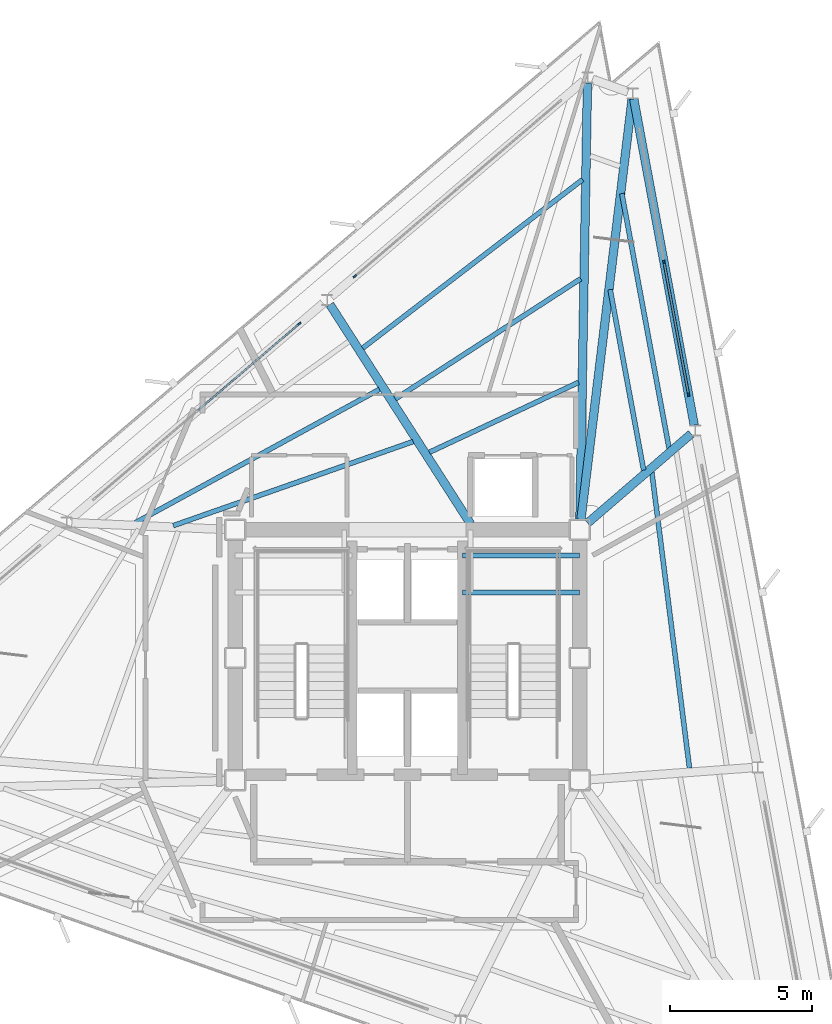
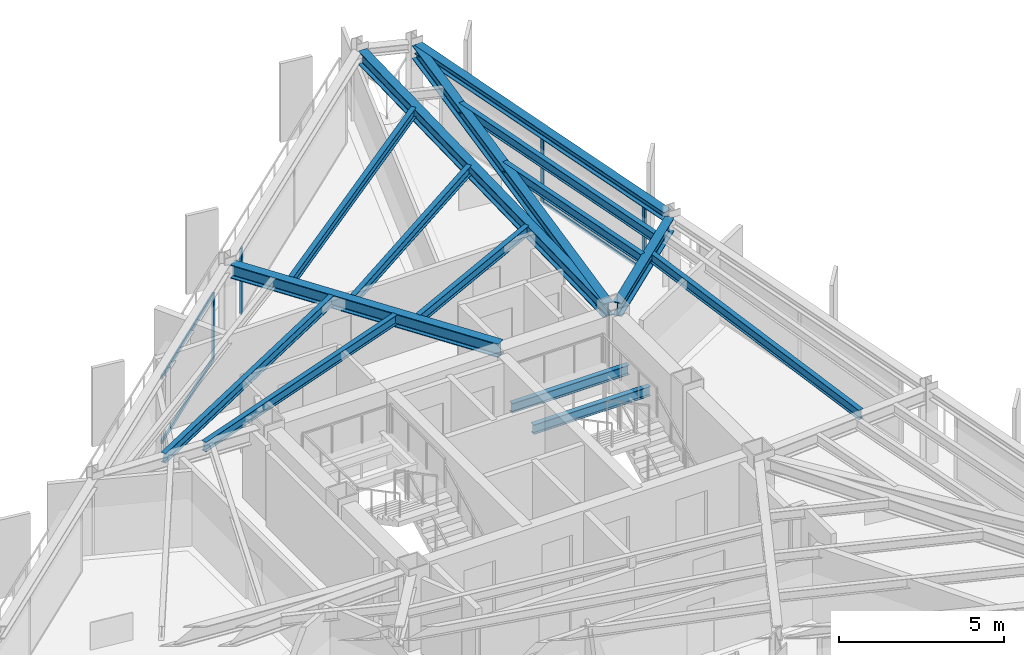
# One storey, part 5 of 14: 15 beams, 8 members, 3 elements without a shape of their own.
"""IFC4 building model written with IfcOpenShell, lengths in metres."""

from ifc_helpers import new_model, si_unit, direction, frame, origin, origin_2d, place, context, subcontext, project, spatial, rectangle, i_section, extrude, material, layer, layer_set, material_profile, profile_set, type_object, element, aggregate, save


model = new_model("IFC4")

# Units and contexts
model_context = context("Model", 3, precision=1e-05, world=origin(), true_north=direction((0.0, 1.0)))
body_context = subcontext(model_context, "Body", "Model", "MODEL_VIEW")
ifc_project = project(units=[si_unit("LENGTHUNIT", "METRE"), si_unit("AREAUNIT", "SQUARE_METRE"), si_unit("VOLUMEUNIT", "CUBIC_METRE"), si_unit("PLANEANGLEUNIT", "RADIAN"), si_unit("MASSUNIT", "GRAM", prefix="KILO")], contexts=[model_context])

# Site, building, storey
site_placement = place(None, origin())
site = spatial("IfcSite", under=ifc_project, at=site_placement, CompositionType="ELEMENT")
building_placement = place(site_placement, origin())
building = spatial("IfcBuilding", under=site, at=building_placement, Name="Rocaltana Carrier Exchange", CompositionType="ELEMENT")
storey_placement = place(building_placement, frame((0.0, 0.0, 178.39990234375)))
storey = spatial("IfcBuildingStorey", under=building, at=storey_placement, Name="L56", CompositionType="ELEMENT", Elevation=178.39990234375)

# Curtain wall, members
ifc_material_1 = material(Name="Aluminium 6063-T6", Category="aluminium")
ifc_layer = layer(ifc_material_1, 0.135009765625)
ifc_layer_set = layer_set([ifc_layer], Name="Aluminium 6063-T6")
curtain_wall_type = type_object("IfcCurtainWallType", Name="Upper-Mid Acoustic Curtain Wall CW-04", PredefinedType="NOTDEFINED", material=ifc_layer_set)
curtain_wall_1_placement = place(storey_placement, origin())
curtain_wall_1 = element("IfcCurtainWall", 1, at=curtain_wall_1_placement, inside=storey, type_object=curtain_wall_type, Name="L56 CW-04 Run CW-L56-F1S3", PredefinedType="NOTDEFINED")
ifc_material_2 = material(Name="Aluminium 6063-T6", Category="aluminium")
ifc_material_profile_1 = material_profile(ifc_material_2, rectangle(XDim=0.06494140625, YDim=0.135009765625, at=origin_2d()), Name="AL-65X135")
ifc_profile_set_1 = profile_set([ifc_material_profile_1], Name="Aluminium 6063-T6")
member_type_1 = type_object("IfcMemberType", Name="CW-04 Mullion AL-65X135", PredefinedType="MULLION", material=ifc_profile_set_1)
member_1_placement = place(storey_placement, frame((9.873046875, 9.25341796875, 0.0), z_axis=(0.0, 0.0, 1.0), x_axis=(-0.983254796134, -0.182236126712, 0.0)))
member_1 = element("IfcMember", 2, at=member_1_placement, type_object=member_type_1, Name="CW-04 mullion 1", PredefinedType="MULLION", context=body_context, shape_type="SweptSolid", body=[
    extrude(rectangle(XDim=0.06494140625, YDim=0.135009765625, at=origin_2d()), origin(), (0.0, 0.0, 1.0), 2.447998046875),
])
member_2_placement = place(storey_placement, frame((9.01025390625, 13.908203125, 0.0), z_axis=(0.0, 0.0, 1.0), x_axis=(-0.983254796134, -0.182236126712, 0.0)))
member_2 = element("IfcMember", 3, at=member_2_placement, type_object=member_type_1, Name="CW-04 mullion 2", PredefinedType="MULLION", context=body_context, shape_type="SweptSolid", body=[
    extrude(rectangle(XDim=0.06494140625, YDim=0.135009765625, at=origin_2d()), origin(), (0.0, 0.0, 1.0), 2.447998046875),
])

# Curtain wall, member
curtain_wall_2_placement = place(storey_placement, origin())
curtain_wall_2 = element("IfcCurtainWall", 4, at=curtain_wall_2_placement, inside=storey, type_object=curtain_wall_type, Name="L56 CW-04 Run CW-L56-F2S1", PredefinedType="NOTDEFINED")
member_3_placement = place(storey_placement, frame((-1.849365234375, 13.404541015625, 0.0), z_axis=(0.0, 0.0, 1.0), x_axis=(0.649447944918, -0.760406053922, 0.0)))
member_3 = element("IfcMember", 5, at=member_3_placement, type_object=member_type_1, Name="CW-04 mullion 3", PredefinedType="MULLION", context=body_context, shape_type="SweptSolid", body=[
    extrude(rectangle(XDim=0.06494140625, YDim=0.135009765625, at=origin_2d()), origin(), (0.0, 0.0, 1.0), 2.447998046875),
])
aggregate(curtain_wall_2, [member_3])

curtain_wall_3_placement = place(storey_placement, origin())
curtain_wall_3 = element("IfcCurtainWall", 6, at=curtain_wall_3_placement, inside=storey, type_object=curtain_wall_type, Name="L56 CW-04 Run CW-L56-F2S2", PredefinedType="NOTDEFINED")
member_4_placement = place(storey_placement, frame((-3.7998046875, 11.73876953125, 0.0), z_axis=(0.0, 0.0, 1.0), x_axis=(0.649454010067, -0.760400873756, 0.0)))
member_4 = element("IfcMember", 7, at=member_4_placement, type_object=member_type_1, Name="CW-04 mullion 1", PredefinedType="MULLION", context=body_context, shape_type="SweptSolid", body=[
    extrude(rectangle(XDim=0.06494140625, YDim=0.135009765625, at=origin_2d()), origin(), (0.0, 0.0, 1.0), 2.447998046875),
])

# Member
ifc_material_3 = material(Name="Aluminium 6063-T6", Category="aluminium")
ifc_material_profile_2 = material_profile(ifc_material_3, rectangle(XDim=0.06494140625, YDim=0.135009765625, at=origin_2d()), Name="AL-65X135")
ifc_profile_set_2 = profile_set([ifc_material_profile_2], Name="Aluminium 6063-T6")
member_type_2 = type_object("IfcMemberType", Name="CW-04 Transom AL-65X135", PredefinedType="USERDEFINED", material=ifc_profile_set_2)
member_5_placement = place(storey_placement, frame((9.866943359375, 9.285400390625, 0.03271484375), z_axis=(-0.182229691605, 0.983255988793, 0.0), x_axis=(-0.983255988793, -0.182229691605, 0.0)))
member_5 = element("IfcMember", 8, at=member_5_placement, type_object=member_type_2, Name="CW-04 transom 1.1", ObjectType="TRANSOM", PredefinedType="USERDEFINED", context=body_context, shape_type="SweptSolid", body=[
    extrude(rectangle(XDim=0.06494140625, YDim=0.135009765625, at=origin_2d()), origin(), (0.0, 0.0, 1.0), 4.6689453125),
])

member_6_placement = place(storey_placement, frame((9.866943359375, 9.285400390625, 2.41552734375), z_axis=(-0.182229691605, 0.983255988793, 0.0), x_axis=(-0.983255988793, -0.182229691605, 0.0)))
member_6 = element("IfcMember", 9, at=member_6_placement, type_object=member_type_2, Name="CW-04 transom 1.2", ObjectType="TRANSOM", PredefinedType="USERDEFINED", context=body_context, shape_type="SweptSolid", body=[
    extrude(rectangle(XDim=0.06494140625, YDim=0.135009765625, at=origin_2d()), origin(), (0.0, 0.0, 1.0), 4.6689453125),
])

aggregate(curtain_wall_1, [member_1, member_2, member_5, member_6])

member_7_placement = place(storey_placement, frame((-3.82470703125, 11.717529296875, 0.03271484375), z_axis=(-0.760381209804, -0.649477032525, 0.0), x_axis=(0.649477032525, -0.760381209804, 0.0)))
member_7 = element("IfcMember", 10, at=member_7_placement, type_object=member_type_2, Name="CW-04 transom 1.1", ObjectType="TRANSOM", PredefinedType="USERDEFINED", context=body_context, shape_type="SweptSolid", body=[
    extrude(rectangle(XDim=0.06494140625, YDim=0.135009765625, at=origin_2d()), origin(), (0.0, 0.0, 1.0), 4.669189453125),
])

member_8_placement = place(storey_placement, frame((-3.82470703125, 11.717529296875, 2.41552734375), z_axis=(-0.760381209804, -0.649477032525, 0.0), x_axis=(0.649477032525, -0.760381209804, 0.0)))
member_8 = element("IfcMember", 11, at=member_8_placement, type_object=member_type_2, Name="CW-04 transom 1.2", ObjectType="TRANSOM", PredefinedType="USERDEFINED", context=body_context, shape_type="SweptSolid", body=[
    extrude(rectangle(XDim=0.06494140625, YDim=0.135009765625, at=origin_2d()), origin(), (0.0, 0.0, 1.0), 4.669189453125),
])

aggregate(curtain_wall_3, [member_4, member_7, member_8])

# Beams
ifc_material_4 = material(Name="Steel S355", Category="steel")
ifc_material_profile_3 = material_profile(ifc_material_4, i_section(OverallWidth=0.172119140625, OverallDepth=0.35791015625, WebThickness=0.0078125, FlangeThickness=0.01318359375, FilletRadius=0.011962890625, at=origin_2d()), Name="W14X38")
ifc_profile_set_3 = profile_set([ifc_material_profile_3], Name="Steel S355")
beam_type_1 = type_object("IfcBeamType", Name="Floor Joist W14X38", PredefinedType="JOIST", material=ifc_profile_set_3)
for number, where, z_axis, x_axis, name in (
    (12, (1.93994140625, 2.300048828125, 1.14111328125), (1.0, 0.0, 0.0), (0.0, 1.0, 0.0), "L56 ST-2 Landing Carrier 1"),
    (13, (1.93994140625, 3.60009765625, 1.14111328125), (1.0, 0.0, 0.0), (0.0, 1.0, 0.0), "L56 ST-2 Landing Carrier 2"),
):
    element("IfcBeam", number, at=place(storey_placement, frame(where, z_axis=z_axis, x_axis=x_axis)), inside=storey, type_object=beam_type_1, Name=name, PredefinedType="JOIST", context=body_context, shape_type="SweptSolid", body=[
        extrude(i_section(OverallWidth=0.172119140625, OverallDepth=0.35791015625, WebThickness=0.0078125, FlangeThickness=0.01318359375, FilletRadius=0.011962890625, at=origin_2d()), origin(), (0.0, 0.0, 1.0), 4.110107421875),
    ])
beam_1_placement = place(storey_placement, frame((9.906494140625, -3.87158203125, 2.619140625), z_axis=(-0.126288464716, 0.991993560301, 0.0), x_axis=(-0.991993560301, -0.126288464716, 0.0)))
element("IfcBeam", 14, at=beam_1_placement, inside=storey, type_object=beam_type_1, Name="FJ-L56-02-2", PredefinedType="JOIST", context=body_context, shape_type="SweptSolid", body=[
    extrude(i_section(OverallWidth=0.172119140625, OverallDepth=0.35791015625, WebThickness=0.0078125, FlangeThickness=0.01318359375, FilletRadius=0.011962890625, at=origin_2d()), origin(), (0.0, 0.0, 1.0), 10.47802734375),
])
beam_2_placement = place(storey_placement, frame((8.29541015625, 6.597412109375, 2.619140625), z_axis=(-0.182201749781, 0.983261166922, 0.0), x_axis=(-0.983261166922, -0.182201749781, 0.0)))
element("IfcBeam", 15, at=beam_2_placement, inside=storey, type_object=beam_type_1, Name="FJ-L56-03-2", PredefinedType="JOIST", context=body_context, shape_type="SweptSolid", body=[
    extrude(i_section(OverallWidth=0.172119140625, OverallDepth=0.35791015625, WebThickness=0.0078125, FlangeThickness=0.01318359375, FilletRadius=0.011962890625, at=origin_2d()), origin(), (0.0, 0.0, 1.0), 6.450439453125),
])
beam_3_placement = place(storey_placement, frame((9.18798828125, 7.365478515625, 2.619140625), z_axis=(-0.18223051112, 0.98325583691, 0.0), x_axis=(-0.98325583691, -0.18223051112, 0.0)))
element("IfcBeam", 16, at=beam_3_placement, inside=storey, type_object=beam_type_1, Name="FJ-L56-03-3", PredefinedType="JOIST", context=body_context, shape_type="SweptSolid", body=[
    extrude(i_section(OverallWidth=0.172119140625, OverallDepth=0.35791015625, WebThickness=0.0078125, FlangeThickness=0.01318359375, FilletRadius=0.011962890625, at=origin_2d()), origin(), (0.0, 0.0, 1.0), 9.09814453125),
])
beam_4_placement = place(storey_placement, frame((6.010498046875, 9.681396484375, 2.619140625), z_axis=(-0.905370731106, -0.42462199573, 0.0), x_axis=(0.42462199573, -0.905370731106, 0.0)))
element("IfcBeam", 17, at=beam_4_placement, inside=storey, type_object=beam_type_1, Name="FJ-L56-05-1", PredefinedType="JOIST", context=body_context, shape_type="SweptSolid", body=[
    extrude(i_section(OverallWidth=0.172119140625, OverallDepth=0.35791015625, WebThickness=0.0078125, FlangeThickness=0.01318359375, FilletRadius=0.011962890625, at=origin_2d()), origin(), (0.0, 0.0, 1.0), 5.78515625),
])
beam_5_placement = place(storey_placement, frame((6.08349609375, 13.318115234375, 2.619140625), z_axis=(-0.839155380269, -0.543891761075, 0.0), x_axis=(0.543891761075, -0.839155380269, 0.0)))
element("IfcBeam", 18, at=beam_5_placement, inside=storey, type_object=beam_type_1, Name="FJ-L56-05-2", PredefinedType="JOIST", context=body_context, shape_type="SweptSolid", body=[
    extrude(i_section(OverallWidth=0.172119140625, OverallDepth=0.35791015625, WebThickness=0.0078125, FlangeThickness=0.01318359375, FilletRadius=0.011962890625, at=origin_2d()), origin(), (0.0, 0.0, 1.0), 7.75830078125),
])
beam_6_placement = place(storey_placement, frame((6.150634765625, 16.803955078125, 2.619140625), z_axis=(-0.793620898392, -0.608412581753, 0.0), x_axis=(0.608412581753, -0.793620898392, 0.0)))
element("IfcBeam", 19, at=beam_6_placement, inside=storey, type_object=beam_type_1, Name="FJ-L56-05-3", PredefinedType="JOIST", context=body_context, shape_type="SweptSolid", body=[
    extrude(i_section(OverallWidth=0.172119140625, OverallDepth=0.35791015625, WebThickness=0.0078125, FlangeThickness=0.01318359375, FilletRadius=0.011962890625, at=origin_2d()), origin(), (0.0, 0.0, 1.0), 9.73095703125),
])
beam_7_placement = place(storey_placement, frame((0.196044921875, 7.600341796875, 2.619140625), z_axis=(-0.943672237623, -0.330881712913, 0.0), x_axis=(0.330881712913, -0.943672237623, 0.0)))
element("IfcBeam", 20, at=beam_7_placement, inside=storey, type_object=beam_type_1, Name="FJ-L56-06-1", PredefinedType="JOIST", context=body_context, shape_type="SweptSolid", body=[
    extrude(i_section(OverallWidth=0.172119140625, OverallDepth=0.35791015625, WebThickness=0.0078125, FlangeThickness=0.01318359375, FilletRadius=0.011962890625, at=origin_2d()), origin(), (0.0, 0.0, 1.0), 8.923583984375),
])
beam_8_placement = place(storey_placement, frame((-0.984619140625, 9.435302734375, 2.619140625), z_axis=(-0.877487444281, -0.479599609184, 0.0), x_axis=(0.479599609184, -0.877487444281, 0.0)))
element("IfcBeam", 21, at=beam_8_placement, inside=storey, type_object=beam_type_1, Name="FJ-L56-06-2", PredefinedType="JOIST", context=body_context, shape_type="SweptSolid", body=[
    extrude(i_section(OverallWidth=0.172119140625, OverallDepth=0.35791015625, WebThickness=0.0078125, FlangeThickness=0.01318359375, FilletRadius=0.011962890625, at=origin_2d()), origin(), (0.0, 0.0, 1.0), 9.81494140625),
])
ifc_material_5 = material(Name="Steel S355", Category="steel")
ifc_material_profile_4 = material_profile(ifc_material_5, i_section(OverallWidth=0.300048828125, OverallDepth=0.320068359375, WebThickness=0.011474609375, FlangeThickness=0.0205078125, FilletRadius=0.027099609375, at=origin_2d()), Name="HEB320")
ifc_profile_set_4 = profile_set([ifc_material_profile_4], Name="Steel S355")
beam_type_2 = type_object("IfcBeamType", Name="Spandrel Edge Beam HEB320", PredefinedType="SPANDREL", material=ifc_profile_set_4)
beam_9_placement = place(storey_placement, frame((10.072998046875, 8.1748046875, 2.63818359375), z_axis=(-0.182255678448, 0.983251172221, 0.0), x_axis=(-0.983251172221, -0.182255678448, 0.0)))
element("IfcBeam", 22, at=beam_9_placement, inside=storey, type_object=beam_type_2, Name="SP-L56-03", PredefinedType="SPANDREL", context=body_context, shape_type="SweptSolid", body=[
    extrude(i_section(OverallWidth=0.300048828125, OverallDepth=0.320068359375, WebThickness=0.011474609375, FlangeThickness=0.0205078125, FilletRadius=0.027099609375, at=origin_2d()), origin(), (0.0, 0.0, 1.0), 11.662109375),
])
ifc_material_6 = material(Name="Steel S355", Category="steel")
ifc_material_profile_5 = material_profile(ifc_material_6, i_section(OverallWidth=0.300048828125, OverallDepth=0.5, WebThickness=0.014404296875, FlangeThickness=0.028076171875, FilletRadius=0.027099609375, at=origin_2d()), Name="HEB500")
ifc_profile_set_5 = profile_set([ifc_material_profile_5], Name="Steel S355")
beam_type_3 = type_object("IfcBeamType", Name="Upper Radial Girder HEB500", PredefinedType="BEAM", material=ifc_profile_set_5)
beam_10_placement = place(storey_placement, frame((6.328125, 4.739501953125, 2.548095703125), z_axis=(0.757854718063, 0.652423348991, 0.0), x_axis=(-0.652423348991, 0.757854718063, 0.0)))
element("IfcBeam", 23, at=beam_10_placement, inside=storey, type_object=beam_type_3, Name="RG-L56-03", PredefinedType="BEAM", context=body_context, shape_type="SweptSolid", body=[
    extrude(i_section(OverallWidth=0.300048828125, OverallDepth=0.5, WebThickness=0.014404296875, FlangeThickness=0.028076171875, FilletRadius=0.027099609375, at=origin_2d()), origin(), (0.0, 0.0, 1.0), 4.80029296875),
])
beam_11_placement = place(storey_placement, frame((6.09423828125, 4.8642578125, 2.548095703125), z_axis=(0.120737437197, 0.992684477193, 0.0), x_axis=(-0.992684477193, 0.120737437197, 0.0)))
element("IfcBeam", 24, at=beam_11_placement, inside=storey, type_object=beam_type_3, Name="RG-L56-04", PredefinedType="BEAM", context=body_context, shape_type="SweptSolid", body=[
    extrude(i_section(OverallWidth=0.300048828125, OverallDepth=0.5, WebThickness=0.014404296875, FlangeThickness=0.028076171875, FilletRadius=0.027099609375, at=origin_2d()), origin(), (0.0, 0.0, 1.0), 14.884521484375),
])
beam_12_placement = place(storey_placement, frame((6.056396484375, 4.866943359375, 2.548095703125), z_axis=(0.017335674052, 0.999849725911, 0.0), x_axis=(-0.999849725911, 0.017335674052, 0.0)))
element("IfcBeam", 25, at=beam_12_placement, inside=storey, type_object=beam_type_3, Name="RG-L56-05", PredefinedType="BEAM", context=body_context, shape_type="SweptSolid", body=[
    extrude(i_section(OverallWidth=0.300048828125, OverallDepth=0.5, WebThickness=0.014404296875, FlangeThickness=0.028076171875, FilletRadius=0.027099609375, at=origin_2d()), origin(), (0.0, 0.0, 1.0), 15.33642578125),
])
beam_13_placement = place(storey_placement, frame((2.219482421875, 4.70361328125, 2.548095703125), z_axis=(-0.539721329294, 0.841843742452, 0.0), x_axis=(-0.841843742452, -0.539721329294, 0.0)))
element("IfcBeam", 26, at=beam_13_placement, inside=storey, type_object=beam_type_3, Name="RG-L56-06", PredefinedType="BEAM", context=body_context, shape_type="SweptSolid", body=[
    extrude(i_section(OverallWidth=0.300048828125, OverallDepth=0.5, WebThickness=0.014404296875, FlangeThickness=0.028076171875, FilletRadius=0.027099609375, at=origin_2d()), origin(), (0.0, 0.0, 1.0), 9.160400390625),
])

save(model, "model.ifc")
